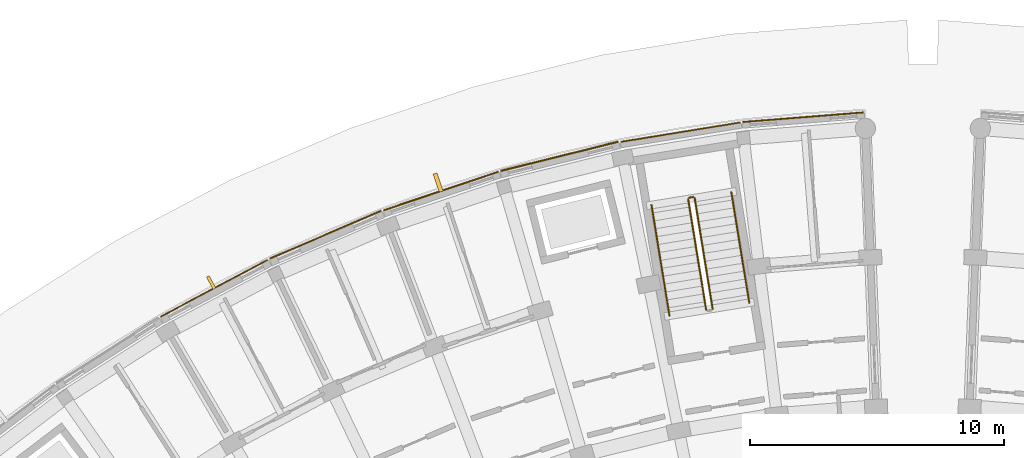
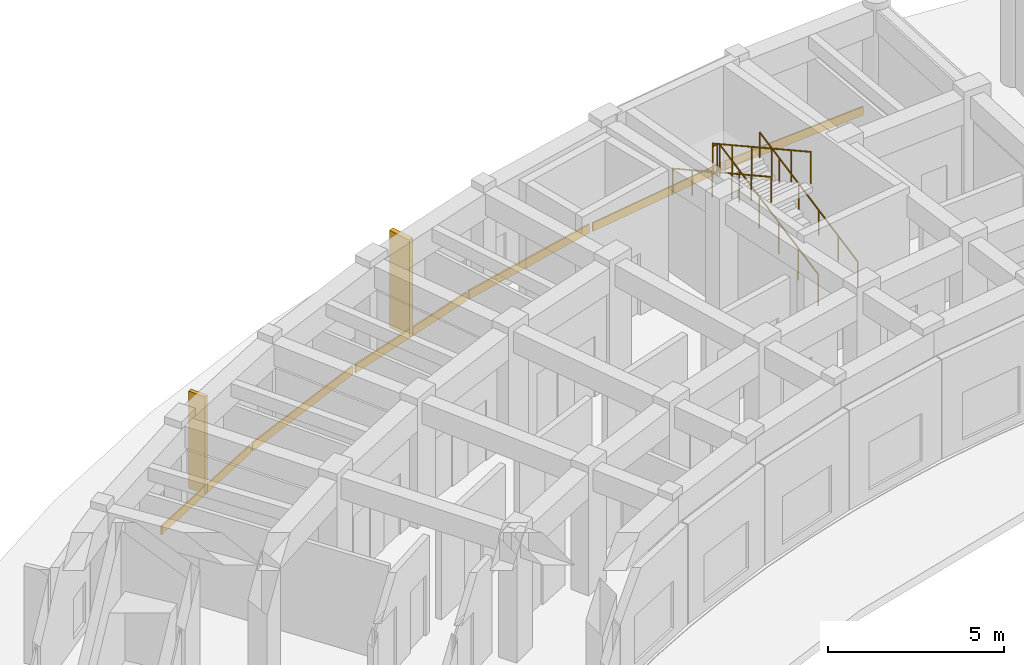
# One storey, part 54 of 61: 6 coverings, 5 railings, 2 shading devices.
"""IFC4 building model written with IfcOpenShell, lengths in metres."""

import ifcopenshell
import ifcopenshell.guid

model = None  # the IFC model being written
_history = None  # IfcOwnerHistory: only IFC2X3 demands one
_inside = {}  # id of a spatial element -> (the spatial element, [elements in it])
_under = {}  # id of a project, library or spatial element -> (it, [spatial elements below it])
_declared = {}  # id of a project -> (the project, [libraries it declares])
_typed = {}  # id of a type object -> (the type object, [elements of that type])
_made_of = {}  # id of a material, layer set ... -> (it, [elements and type objects made of it])


def new_model(schema):
    """Start an empty IFC model of exactly this schema.

    Asked for "IFC4X3", IfcOpenShell would pick the latest addendum, in which some entities
    have other attributes; the version numbers below select the first issue.
    IFC2X3 requires an IfcOwnerHistory on every rooted entity: one is made here for all.
    """
    global model, _history
    if schema == "IFC4X3":
        model = ifcopenshell.file(schema_version=(4, 3, 0, 0))
    else:
        model = ifcopenshell.file(schema=schema)
    _inside.clear()
    _under.clear()
    _declared.clear()
    _typed.clear()
    _made_of.clear()
    _history = None
    if model.schema == "IFC2X3":
        org = make("IfcOrganization", Name="unknown")
        user = make(
            "IfcPersonAndOrganization",
            ThePerson=make("IfcPerson", FamilyName="unknown"),
            TheOrganization=org,
        )
        app = make(
            "IfcApplication",
            ApplicationDeveloper=org,
            Version="unknown",
            ApplicationFullName="unknown",
            ApplicationIdentifier="unknown",
        )
        _history = make(
            "IfcOwnerHistory",
            OwningUser=user,
            OwningApplication=app,
            ChangeAction="ADDED",
            CreationDate=0,
        )
    return model


def make(cls, **values):
    """One entity of the class cls with the attributes given. An attribute that is None is left unset."""
    return model.create_entity(
        cls, **{name: value for name, value in values.items() if value is not None}
    )


def rooted(cls, **values):
    """An entity with a GlobalId (a new one), such as an element, a storey or a relation."""
    return make(cls, GlobalId=ifcopenshell.guid.new(), OwnerHistory=_history, **values)


def si_unit(unit_type, name, prefix=None):
    """IfcSIUnit, for example si_unit("LENGTHUNIT", "METRE", prefix="MILLI")."""
    return make("IfcSIUnit", UnitType=unit_type, Prefix=prefix, Name=name)


def assignment(units):
    """IfcUnitAssignment: the units of a project."""
    return None if units is None else make("IfcUnitAssignment", Units=units)


def point(xyz):
    """IfcCartesianPoint."""
    return None if xyz is None else make("IfcCartesianPoint", Coordinates=xyz)


def direction(xyz):
    """IfcDirection."""
    return None if xyz is None else make("IfcDirection", DirectionRatios=xyz)


def frame(location, z_axis=None, x_axis=None):
    """IfcAxis2Placement3D, a coordinate frame: its origin and axes. An axis left out is left unset."""
    return make(
        "IfcAxis2Placement3D",
        Location=point(location),
        Axis=direction(z_axis),
        RefDirection=direction(x_axis),
    )


def frame_2d(location, x_axis=None):
    """IfcAxis2Placement2D, a coordinate frame in the plane: its origin and x axis."""
    return make(
        "IfcAxis2Placement2D", Location=point(location), RefDirection=direction(x_axis)
    )


def origin():
    """The frame at (0, 0, 0) with its axes left unset."""
    return frame((0.0, 0.0, 0.0))


def origin_2d():
    """The frame at (0, 0) in the plane with its x axis left unset."""
    return frame_2d((0.0, 0.0))


def place(relative_to, where):
    """IfcLocalPlacement: puts the frame where relative to a parent placement (None: the world)."""
    return make(
        "IfcLocalPlacement", PlacementRelTo=relative_to, RelativePlacement=where
    )


def context(
    kind, dimensions, precision=None, world=None, true_north=None, identifier=None
):
    """IfcGeometricRepresentationContext, for example the 3D "Model" context."""
    return make(
        "IfcGeometricRepresentationContext",
        ContextIdentifier=identifier,
        ContextType=kind,
        CoordinateSpaceDimension=dimensions,
        Precision=precision,
        WorldCoordinateSystem=world,
        TrueNorth=true_north,
    )


def subcontext(parent, identifier, kind, view, scale=None):
    """IfcGeometricRepresentationSubContext, for example "Body" below "Model"."""
    return make(
        "IfcGeometricRepresentationSubContext",
        ContextIdentifier=identifier,
        ContextType=kind,
        ParentContext=parent,
        TargetScale=scale,
        TargetView=view,
    )


def project(units=None, contexts=None):
    """IfcProject with its units and contexts."""
    return rooted(
        "IfcProject",
        Name="project",
        RepresentationContexts=contexts,
        UnitsInContext=assignment(units),
    )


def spatial(cls, under=None, at=None, **own):
    """A site, building, storey or space (cls), placed at a placement, below another one or the project."""
    s = rooted(cls, ObjectPlacement=at, **own)
    if under is not None:
        _under.setdefault(under.id(), (under, []))[1].append(s)
    return s


def profile(cls, at=None, kind="AREA", **sizes):
    """A parametric profile (cls). Its sizes go by their IFC names, for example OverallWidth=200.0."""
    return make(cls, ProfileType=kind, Position=at, **sizes)


def rectangle(**sizes):
    """IfcRectangleProfileDef."""
    return profile("IfcRectangleProfileDef", **sizes)


def circle(**sizes):
    """IfcCircleProfileDef."""
    return profile("IfcCircleProfileDef", **sizes)


def extrude(swept, where, along, depth):
    """IfcExtrudedAreaSolid: the profile swept, set in the frame where, extruded along a direction by depth."""
    return make(
        "IfcExtrudedAreaSolid",
        SweptArea=swept,
        Position=where,
        ExtrudedDirection=direction(along),
        Depth=depth,
    )


def shape(context_of_items, identifier, shape_type, items):
    """IfcShapeRepresentation: the items that make up one representation, for example the "Body"."""
    return make(
        "IfcShapeRepresentation",
        ContextOfItems=context_of_items,
        RepresentationIdentifier=identifier,
        RepresentationType=shape_type,
        Items=items,
    )


def material(Name=None, Category=None):
    """IfcMaterial."""
    return make("IfcMaterial", Name=Name, Category=Category)


def layer(
    of_material, thickness, ventilated=None, Name=None, Category=None, Priority=None
):
    """IfcMaterialLayer: one layer of a wall or slab, of a material (None: an air gap)."""
    return make(
        "IfcMaterialLayer",
        Material=of_material,
        LayerThickness=thickness,
        IsVentilated=ventilated,
        Name=Name,
        Category=Category,
        Priority=Priority,
    )


def layer_set(layers, Name=None):
    """IfcMaterialLayerSet."""
    return make("IfcMaterialLayerSet", MaterialLayers=layers, LayerSetName=Name)


def made_of(thing, what):
    """Note that an element or type object is made of a material, layer set ...; save() writes the relation."""
    if what is not None:
        _made_of.setdefault(what.id(), (what, []))[1].append(thing)
    return thing


def type_object(cls, material=None, **own):
    """A type object (cls), such as IfcWallType, which elements share."""
    return made_of(rooted(cls, **own), material)


def element(
    cls,
    number,
    at=None,
    inside=None,
    cuts=None,
    type_object=None,
    material=None,
    context=None,
    identifier="Body",
    shape_type=None,
    held_by="IfcProductDefinitionShape",
    body=None,
    shapes=None,
    **own,
):
    """One element of the class cls, such as IfcWall. Its Tag is "e" and its number.

    at: its placement. inside: the storey or other place that contains it. cuts: it is an
    opening in that element (IfcRelVoidsElement). A single representation is given by context,
    identifier, shape_type and body (its items); several are given by shapes. held_by: the class
    of the entity that holds the representations. save() writes the other relations.
    """
    e = rooted(cls, Tag="e%d" % number, ObjectPlacement=at, **own)
    if body is not None:
        shapes = [shape(context, identifier, shape_type, body)]
    if shapes is not None:
        e.Representation = make(held_by, Representations=shapes)
    if inside is not None:
        _inside.setdefault(inside.id(), (inside, []))[1].append(e)
    if cuts is not None:
        rooted(
            "IfcRelVoidsElement", RelatingBuildingElement=cuts, RelatedOpeningElement=e
        )
    if type_object is not None:
        _typed.setdefault(type_object.id(), (type_object, []))[1].append(e)
    return made_of(e, material)


def aggregate(whole, parts):
    """IfcRelAggregates: a whole, such as a stair, and the parts it consists of."""
    return rooted("IfcRelAggregates", RelatingObject=whole, RelatedObjects=parts)


def save(model, path):
    """Write the relations noted so far, then the file.

    IfcRelAggregates (storeys below a building ...), IfcRelContainedInSpatialStructure (elements
    in a storey), IfcRelDefinesByType, IfcRelAssociatesMaterial and IfcRelDeclares: one each for
    every whole, place, type object, material and project.
    """
    for whole, parts in _under.values():
        aggregate(whole, parts)
    for where, things in _inside.values():
        rooted(
            "IfcRelContainedInSpatialStructure",
            RelatedElements=things,
            RelatingStructure=where,
        )
    for kind, things in _typed.values():
        rooted("IfcRelDefinesByType", RelatedObjects=things, RelatingType=kind)
    for what, things in _made_of.values():
        rooted("IfcRelAssociatesMaterial", RelatedObjects=things, RelatingMaterial=what)
    for by, libraries in _declared.values():
        rooted("IfcRelDeclares", RelatingContext=by, RelatedDefinitions=libraries)
    model.write(path)


model = new_model("IFC4")

# Units and contexts
model_context = context("Model", 3, precision=1e-05, world=origin(), true_north=direction((0.0, 1.0)))
body_context = subcontext(model_context, "Body", "Model", "MODEL_VIEW")
ifc_project = project(units=[si_unit("LENGTHUNIT", "METRE"), si_unit("AREAUNIT", "SQUARE_METRE"), si_unit("VOLUMEUNIT", "CUBIC_METRE"), si_unit("PLANEANGLEUNIT", "RADIAN"), si_unit("MASSUNIT", "GRAM", prefix="KILO")], contexts=[model_context])

# Site, building, storey
site_placement = place(None, origin())
site = spatial("IfcSite", under=ifc_project, at=site_placement, CompositionType="ELEMENT")
building_placement = place(site_placement, origin())
building = spatial("IfcBuilding", under=site, at=building_placement, Name="Zimvara Arc Housing Community", CompositionType="ELEMENT")
storey_placement = place(building_placement, origin())
storey = spatial("IfcBuildingStorey", under=building, at=storey_placement, Name="L00", CompositionType="ELEMENT", Elevation=0.0)

# Coverings
ifc_material_1 = material(Name="Pale-Gold Anodised Aluminium Cladding", Category="aluminium")
ifc_layer_1 = layer(ifc_material_1, 0.0400390625)
ifc_layer_set_1 = layer_set([ifc_layer_1], Name="Pale-Gold Anodised Aluminium Cladding")
covering_type_1 = type_object("IfcCoveringType", Name="CLD-GOLD-01", PredefinedType="CLADDING", material=ifc_layer_set_1)
for number, where, z_axis, x_axis, name in (
    (1, (17.13037109375, 97.0478515625, 0.009765625), (0.0, 0.0, 1.0), (0.88343873811, 0.468546684981, 0.0), "cld:blkA:L00:out:b4"),
    (2, (35.473876953125, 103.186279296875, 0.009765625), (0.0, 0.0, 1.0), (0.987080395872, 0.160225753504, 0.0), "cld:blkA:L00:out:b8"),
):
    element("IfcCovering", number, at=place(storey_placement, frame(where, z_axis=z_axis, x_axis=x_axis)), inside=storey, type_object=covering_type_1, Name=name, PredefinedType="CLADDING", context=body_context, shape_type="SweptSolid", body=[
        extrude(rectangle(XDim=4.748779296875, YDim=0.0400390625, at=origin_2d()), origin(), (0.0, 0.0, 1.0), 0.300048828125),
    ])
ifc_material_2 = material(Name="Pale-Gold Anodised Aluminium Cladding", Category="aluminium")
ifc_layer_2 = layer(ifc_material_2, 0.044921875)
ifc_layer_set_2 = layer_set([ifc_layer_2], Name="Pale-Gold Anodised Aluminium Cladding")
covering_type_2 = type_object("IfcCoveringType", Name="CLD-GOLD-02", PredefinedType="CLADDING", material=ifc_layer_set_2)
for number, where, z_axis, x_axis, name in (
    (3, (21.5078125, 99.1533203125, 0.009765625), (0.0, 0.0, 1.0), (0.918721611116, 0.394905813161, 0.0), "cld:blkA:L00:out:b5"),
    (4, (40.29345703125, 103.7734375, 0.009765625), (0.0, 0.0, 1.0), (0.996862316013, 0.079155056145, 0.0), "cld:blkA:L00:out:b9"),
):
    element("IfcCovering", number, at=place(storey_placement, frame(where, z_axis=z_axis, x_axis=x_axis)), inside=storey, type_object=covering_type_2, Name=name, PredefinedType="CLADDING", context=body_context, shape_type="SweptSolid", body=[
        extrude(rectangle(XDim=4.748779296875, YDim=0.044921875, at=origin_2d()), origin(), (0.0, 0.0, 1.0), 0.300048828125),
    ])
ifc_material_3 = material(Name="Pale-Gold Anodised Aluminium Cladding", Category="aluminium")
ifc_layer_3 = layer(ifc_material_3, 0.050048828125)
ifc_layer_set_3 = layer_set([ifc_layer_3], Name="Pale-Gold Anodised Aluminium Cladding")
covering_type_3 = type_object("IfcCoveringType", Name="CLD-GOLD-03", PredefinedType="CLADDING", material=ifc_layer_set_3)
covering_1_placement = place(storey_placement, frame((26.05078125, 100.871337890625, 0.009765625), z_axis=(0.0, 0.0, 1.0), x_axis=(0.947879690069, 0.318628456287, 0.0)))
element("IfcCovering", 5, at=covering_1_placement, inside=storey, type_object=covering_type_3, Name="cld:blkA:L00:out:b6", PredefinedType="CLADDING", context=body_context, shape_type="SweptSolid", body=[
    extrude(rectangle(XDim=4.748779296875, YDim=0.050048828125, at=origin_2d()), origin(), (0.0, 0.0, 1.0), 0.300048828125),
])
ifc_material_4 = material(Name="Pale-Gold Anodised Aluminium Cladding", Category="aluminium")
ifc_layer_4 = layer(ifc_material_4, 0.054931640625)
ifc_layer_set_4 = layer_set([ifc_layer_4], Name="Pale-Gold Anodised Aluminium Cladding")
covering_type_4 = type_object("IfcCoveringType", Name="CLD-GOLD-04", PredefinedType="CLADDING", material=ifc_layer_set_4)
covering_2_placement = place(storey_placement, frame((30.711669921875, 102.23681640625, 0.009765625), z_axis=(0.0, 0.0, 1.0), x_axis=(0.9707160623, 0.240229736697, 0.0)))
element("IfcCovering", 6, at=covering_2_placement, inside=storey, type_object=covering_type_4, Name="cld:blkA:L00:out:b7", PredefinedType="CLADDING", context=body_context, shape_type="SweptSolid", body=[
    extrude(rectangle(XDim=4.748779296875, YDim=0.054931640625, at=origin_2d()), origin(), (0.0, 0.0, 1.0), 0.300048828125),
])

# Railings
ifc_material_5 = material(Name="Anodised Aluminium AW-6063", Category="aluminium")
railing_type_1 = type_object("IfcRailingType", Name="RLG-BAL-1120", PredefinedType="BALUSTRADE", material=ifc_material_5)
railing_1_placement = place(storey_placement, frame((36.732421875, 96.243896484375, 0.14990234375)))
element("IfcRailing", 7, at=railing_1_placement, inside=storey, type_object=railing_type_1, Name="L00 ST-A2 stair guard 1", PredefinedType="BALUSTRADE", context=body_context, shape_type="SweptSolid", body=[
    extrude(circle(Radius=0.02392578125, at=origin_2d()), frame((0.0, 0.0, 1.09619140625), z_axis=(-0.144649645374, 0.891189764003, 0.429950328096), x_axis=(-0.987082298635, -0.160214030973, 0.0)), (0.0, 0.0, 1.0), 4.884521484375),
    extrude(circle(Radius=0.02099609375, at=origin_2d()), origin(), (0.0, 0.0, 1.0), 1.072021484375),
    extrude(circle(Radius=0.02099609375, at=origin_2d()), frame((-0.141357421875, 0.87060546875, 0.419921875)), (0.0, 0.0, 1.0), 1.072021484375),
    extrude(circle(Radius=0.02099609375, at=origin_2d()), frame((-0.28271484375, 1.7412109375, 0.840087890625)), (0.0, 0.0, 1.0), 1.072021484375),
    extrude(circle(Radius=0.02099609375, at=origin_2d()), frame((-0.423828125, 2.61181640625, 1.260009765625)), (0.0, 0.0, 1.0), 1.072021484375),
    extrude(circle(Radius=0.02099609375, at=origin_2d()), frame((-0.565185546875, 3.482421875, 1.68017578125)), (0.0, 0.0, 1.0), 1.072021484375),
    extrude(circle(Radius=0.02099609375, at=origin_2d()), frame((-0.70654296875, 4.35302734375, 2.10009765625)), (0.0, 0.0, 1.0), 1.072021484375),
])
railing_2_placement = place(storey_placement, frame((35.968505859375, 100.63818359375, 2.25)))
element("IfcRailing", 8, at=railing_2_placement, inside=storey, type_object=railing_type_1, Name="L00 ST-A2 stair guard 2", PredefinedType="BALUSTRADE", context=body_context, shape_type="SweptSolid", body=[
    extrude(circle(Radius=0.02392578125, at=origin_2d()), frame((0.0, 0.0, 1.09619140625), z_axis=(-0.987085924886, -0.160191687964, 0.0), x_axis=(0.160191687964, -0.987085924886, 0.0)), (0.0, 0.0, 1.0), 0.159912109375),
    extrude(circle(Radius=0.02099609375, at=origin_2d()), origin(), (0.0, 0.0, 1.0), 1.072021484375),
    extrude(circle(Radius=0.02099609375, at=origin_2d()), frame((-0.157958984375, -0.025634765625, 0.0)), (0.0, 0.0, 1.0), 1.072021484375),
])
railing_3_placement = place(storey_placement, frame((35.769287109375, 100.55517578125, 2.39990234375)))
element("IfcRailing", 9, at=railing_3_placement, inside=storey, type_object=railing_type_1, Name="L00 ST-A2 stair guard 3", PredefinedType="BALUSTRADE", context=body_context, shape_type="SweptSolid", body=[
    extrude(circle(Radius=0.02392578125, at=origin_2d()), frame((0.0, 0.0, 1.09619140625), z_axis=(0.144649645374, -0.891189764003, 0.429950328096), x_axis=(0.987082298635, 0.160214030973, 0.0)), (0.0, 0.0, 1.0), 4.884521484375),
    extrude(circle(Radius=0.02099609375, at=origin_2d()), origin(), (0.0, 0.0, 1.0), 1.072021484375),
    extrude(circle(Radius=0.02099609375, at=origin_2d()), frame((0.141357421875, -0.87060546875, 0.419921875)), (0.0, 0.0, 1.0), 1.072021484375),
    extrude(circle(Radius=0.02099609375, at=origin_2d()), frame((0.28271484375, -1.7412109375, 0.840087890625)), (0.0, 0.0, 1.0), 1.072021484375),
    extrude(circle(Radius=0.02099609375, at=origin_2d()), frame((0.423828125, -2.61181640625, 1.260009765625)), (0.0, 0.0, 1.0), 1.072021484375),
    extrude(circle(Radius=0.02099609375, at=origin_2d()), frame((0.565185546875, -3.482421875, 1.68017578125)), (0.0, 0.0, 1.0), 1.072021484375),
    extrude(circle(Radius=0.02099609375, at=origin_2d()), frame((0.70654296875, -4.35302734375, 2.10009765625)), (0.0, 0.0, 1.0), 1.072021484375),
])
ifc_material_6 = material(Name="Anodised Aluminium AW-6063", Category="aluminium")
railing_type_2 = type_object("IfcRailingType", Name="RLG-HND-900", PredefinedType="HANDRAIL", material=ifc_material_6)
railing_4_placement = place(storey_placement, frame((38.173583984375, 96.477783203125, 0.14990234375)))
element("IfcRailing", 10, at=railing_4_placement, inside=storey, type_object=railing_type_2, Name="L00 ST-A2 stair handrail 1", PredefinedType="HANDRAIL", context=body_context, shape_type="SweptSolid", body=[
    extrude(circle(Radius=0.02392578125, at=origin_2d()), frame((0.0, 0.0, 0.8759765625), z_axis=(-0.144649645374, 0.891189764003, 0.429950328096), x_axis=(-0.987082298635, -0.160214030973, 0.0)), (0.0, 0.0, 1.0), 4.884521484375),
    extrude(circle(Radius=0.02099609375, at=origin_2d()), origin(), (0.0, 0.0, 1.0), 0.851806640625),
    extrude(circle(Radius=0.02099609375, at=origin_2d()), frame((-0.141357421875, 0.87060546875, 0.419921875)), (0.0, 0.0, 1.0), 0.851806640625),
    extrude(circle(Radius=0.02099609375, at=origin_2d()), frame((-0.28271484375, 1.7412109375, 0.840087890625)), (0.0, 0.0, 1.0), 0.851806640625),
    extrude(circle(Radius=0.02099609375, at=origin_2d()), frame((-0.423828125, 2.61181640625, 1.260009765625)), (0.0, 0.0, 1.0), 0.851806640625),
    extrude(circle(Radius=0.02099609375, at=origin_2d()), frame((-0.565185546875, 3.482421875, 1.68017578125)), (0.0, 0.0, 1.0), 0.851806640625),
    extrude(circle(Radius=0.02099609375, at=origin_2d()), frame((-0.70654296875, 4.35302734375, 2.10009765625)), (0.0, 0.0, 1.0), 0.851806640625),
])
railing_5_placement = place(storey_placement, frame((34.328125, 100.3212890625, 2.39990234375)))
element("IfcRailing", 11, at=railing_5_placement, inside=storey, type_object=railing_type_2, Name="L00 ST-A2 stair handrail 2", PredefinedType="HANDRAIL", context=body_context, shape_type="SweptSolid", body=[
    extrude(circle(Radius=0.02392578125, at=origin_2d()), frame((0.0, 0.0, 0.8759765625), z_axis=(0.144649645374, -0.891189764003, 0.429950328096), x_axis=(0.987082298635, 0.160214030973, 0.0)), (0.0, 0.0, 1.0), 4.884521484375),
    extrude(circle(Radius=0.02099609375, at=origin_2d()), origin(), (0.0, 0.0, 1.0), 0.851806640625),
    extrude(circle(Radius=0.02099609375, at=origin_2d()), frame((0.141357421875, -0.87060546875, 0.419921875)), (0.0, 0.0, 1.0), 0.851806640625),
    extrude(circle(Radius=0.02099609375, at=origin_2d()), frame((0.28271484375, -1.7412109375, 0.840087890625)), (0.0, 0.0, 1.0), 0.851806640625),
    extrude(circle(Radius=0.02099609375, at=origin_2d()), frame((0.423828125, -2.61181640625, 1.260009765625)), (0.0, 0.0, 1.0), 0.851806640625),
    extrude(circle(Radius=0.02099609375, at=origin_2d()), frame((0.565185546875, -3.482421875, 1.68017578125)), (0.0, 0.0, 1.0), 0.851806640625),
    extrude(circle(Radius=0.02099609375, at=origin_2d()), frame((0.70654296875, -4.35302734375, 2.10009765625)), (0.0, 0.0, 1.0), 0.851806640625),
])

# Shading devices
ifc_material_7 = material(Name="Board-Marked Fair-Faced Concrete C40/50", Category="concrete")
shading_device_type_1 = type_object("IfcShadingDeviceType", Name="SHD-FIN-01", PredefinedType="JALOUSIE", material=ifc_material_7)
shading_device_1_placement = place(storey_placement, frame((17.011474609375, 97.272216796875, 0.0400390625), z_axis=(0.0, 0.0, 1.0), x_axis=(0.88343873811, 0.468546684981, 0.0)))
element("IfcShadingDevice", 12, at=shading_device_1_placement, inside=storey, type_object=shading_device_type_1, Name="fin:blkA:L00:out:b4", PredefinedType="JALOUSIE", context=body_context, shape_type="SweptSolid", body=[
    extrude(rectangle(XDim=0.1201171875, YDim=0.550048828125, at=origin_2d()), origin(), (0.0, 0.0, 1.0), 3.3701171875),
])
ifc_material_8 = material(Name="Board-Marked Fair-Faced Concrete C40/50", Category="concrete")
shading_device_type_2 = type_object("IfcShadingDeviceType", Name="SHD-FIN-03", PredefinedType="JALOUSIE", material=ifc_material_8)
shading_device_2_placement = place(storey_placement, frame((25.939697265625, 101.2021484375, 0.0400390625), z_axis=(0.0, 0.0, 1.0), x_axis=(0.947879690069, 0.318628456287, 0.0)))
element("IfcShadingDevice", 13, at=shading_device_2_placement, inside=storey, type_object=shading_device_type_2, Name="fin:blkA:L00:out:b6", PredefinedType="JALOUSIE", context=body_context, shape_type="SweptSolid", body=[
    extrude(rectangle(XDim=0.159912109375, YDim=0.75, at=origin_2d()), origin(), (0.0, 0.0, 1.0), 3.3701171875),
])

save(model, "model.ifc")
